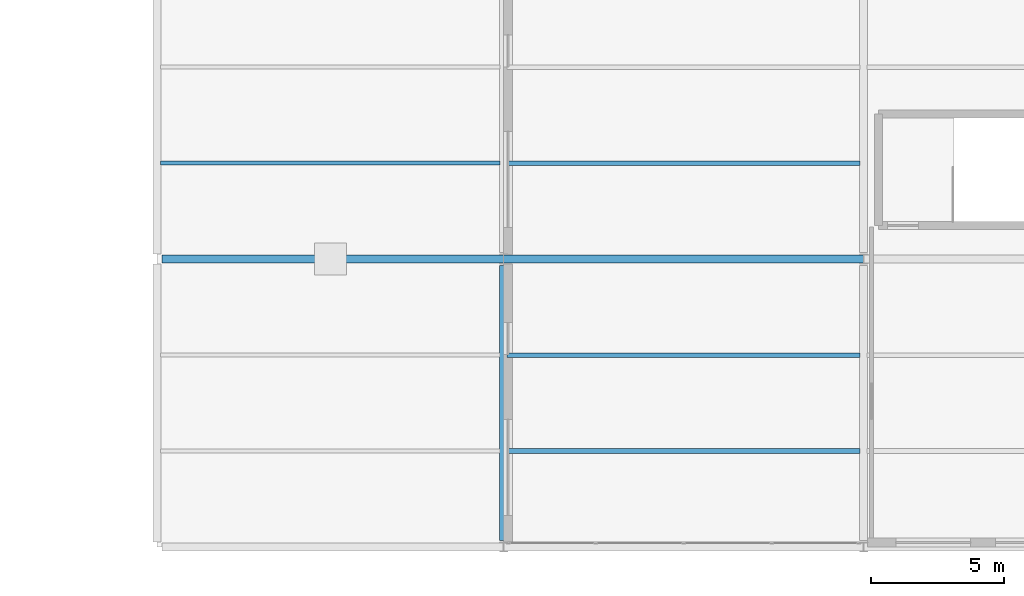
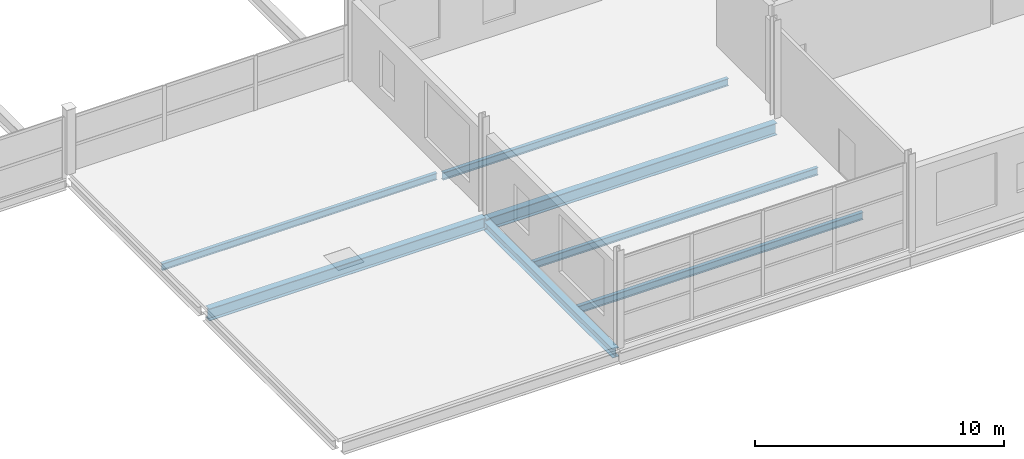
# One storey, part 81 of 134: 7 beams.
"""IFC4 building model written with IfcOpenShell, lengths in metres."""

from ifc_helpers import new_model, si_unit, direction, frame, origin, origin_2d, place, context, subcontext, project, spatial, i_section, extrude, material, material_profile, profile_set, type_object, element, save


model = new_model("IFC4")

# Units and contexts
model_context = context("Model", 3, precision=1e-05, world=origin(), true_north=direction((0.0, 1.0)))
body_context = subcontext(model_context, "Body", "Model", "MODEL_VIEW")
ifc_project = project(units=[si_unit("LENGTHUNIT", "METRE"), si_unit("AREAUNIT", "SQUARE_METRE"), si_unit("VOLUMEUNIT", "CUBIC_METRE"), si_unit("PLANEANGLEUNIT", "RADIAN"), si_unit("MASSUNIT", "GRAM", prefix="KILO")], contexts=[model_context])

# Site, building, storey
site_placement = place(None, origin())
site = spatial("IfcSite", under=ifc_project, at=site_placement, CompositionType="ELEMENT")
building_placement = place(site_placement, origin())
building = spatial("IfcBuilding", under=site, at=building_placement, Name="Tamarisk Ironworks Central Station", CompositionType="ELEMENT")
storey_placement = place(building_placement, frame((0.0, 0.0, 12.60009765625)))
storey = spatial("IfcBuildingStorey", under=building, at=storey_placement, Name="L02", CompositionType="ELEMENT", Elevation=12.60009765625)

# Beams
ifc_material = material(Name="Structural steel S355J2", Category="steel")
ifc_material_profile_1 = material_profile(ifc_material, i_section(OverallWidth=0.169921875, OverallDepth=0.360107421875, WebThickness=0.008056640625, FlangeThickness=0.0126953125, at=origin_2d()), Name="IPE 360")
ifc_profile_set_1 = profile_set([ifc_material_profile_1], Name="Structural steel S355J2")
beam_type_1 = type_object("IfcBeamType", Name="BM-B05", PredefinedType="BEAM", material=ifc_profile_set_1)
for number, where, z_axis, x_axis, name in (
    (1, (153.135009765625, 3.60009765625, -0.43017578125), (1.0, 0.0, 0.0), (0.0, 1.0, 0.0), "L02 secondary composite beam 0190"),
    (2, (153.135009765625, 7.199951171875, -0.43017578125), (1.0, 0.0, 0.0), (0.0, 1.0, 0.0), "L02 secondary composite beam 0191"),
    (3, (153.135009765625, 14.39990234375, -0.43017578125), (1.0, 0.0, 0.0), (0.0, 1.0, 0.0), "L02 secondary composite beam 0192"),
):
    element("IfcBeam", number, at=place(storey_placement, frame(where, z_axis=z_axis, x_axis=x_axis)), inside=storey, type_object=beam_type_1, Name=name, PredefinedType="BEAM", context=body_context, shape_type="SweptSolid", body=[
        extrude(i_section(OverallWidth=0.169921875, OverallDepth=0.360107421875, WebThickness=0.008056640625, FlangeThickness=0.0126953125, at=origin_2d()), origin(), (0.0, 0.0, 1.0), 13.22998046875),
    ])
ifc_material_profile_2 = material_profile(ifc_material, i_section(OverallWidth=0.159912109375, OverallDepth=0.330078125, WebThickness=0.007568359375, FlangeThickness=0.011474609375, at=origin_2d()), Name="IPE 330")
ifc_profile_set_2 = profile_set([ifc_material_profile_2], Name="Structural steel S355J2")
beam_type_2 = type_object("IfcBeamType", Name="BM-B06", PredefinedType="BEAM", material=ifc_profile_set_2)
beam_1_placement = place(storey_placement, frame((140.135009765625, 14.39990234375, -0.3251953125), z_axis=(1.0, 0.0, 0.0), x_axis=(0.0, 1.0, 0.0)))
element("IfcBeam", 4, at=beam_1_placement, inside=storey, type_object=beam_type_2, Name="L02 secondary composite beam 0188", PredefinedType="BEAM", context=body_context, shape_type="SweptSolid", body=[
    extrude(i_section(OverallWidth=0.159912109375, OverallDepth=0.330078125, WebThickness=0.007568359375, FlangeThickness=0.011474609375, at=origin_2d()), origin(), (0.0, 0.0, 1.0), 12.72998046875),
])
ifc_material_profile_3 = material_profile(ifc_material, i_section(OverallWidth=0.300048828125, OverallDepth=0.590087890625, WebThickness=0.012939453125, FlangeThickness=0.02490234375, at=origin_2d()), Name="HEA 600")
ifc_profile_set_3 = profile_set([ifc_material_profile_3], Name="Structural steel S355J2")
beam_type_3 = type_object("IfcBeamType", Name="BM-G03", PredefinedType="BEAM", material=ifc_profile_set_3)
beam_2_placement = place(storey_placement, frame((140.18798828125, 10.800048828125, -0.455078125), z_axis=(1.0, 0.0, 0.0), x_axis=(0.0, 1.0, 0.0)))
element("IfcBeam", 5, at=beam_2_placement, inside=storey, type_object=beam_type_3, Name="L02 primary girder X-0303", PredefinedType="BEAM", context=body_context, shape_type="SweptSolid", body=[
    extrude(i_section(OverallWidth=0.300048828125, OverallDepth=0.590087890625, WebThickness=0.012939453125, FlangeThickness=0.02490234375, at=origin_2d()), origin(), (0.0, 0.0, 1.0), 12.80810546875),
])
beam_3_placement = place(storey_placement, frame((153.00390625, 10.800048828125, -0.545166015625), z_axis=(1.0, 0.0, 0.0), x_axis=(0.0, 1.0, 0.0)))
element("IfcBeam", 6, at=beam_3_placement, inside=storey, type_object=beam_type_3, Name="L02 primary girder X-0304", PredefinedType="BEAM", context=body_context, shape_type="SweptSolid", body=[
    extrude(i_section(OverallWidth=0.300048828125, OverallDepth=0.590087890625, WebThickness=0.012939453125, FlangeThickness=0.02490234375, at=origin_2d()), origin(), (0.0, 0.0, 1.0), 13.4921875),
])
ifc_material_profile_4 = material_profile(ifc_material, i_section(OverallWidth=0.300048828125, OverallDepth=0.43994140625, WebThickness=0.011474609375, FlangeThickness=0.02099609375, at=origin_2d()), Name="HEA 450")
ifc_profile_set_4 = profile_set([ifc_material_profile_4], Name="Structural steel S355J2")
beam_type_4 = type_object("IfcBeamType", Name="BM-G06", PredefinedType="BEAM", material=ifc_profile_set_4)
beam_4_placement = place(storey_placement, frame((153.0, 0.238037109375, -0.47021484375), z_axis=(0.0, 1.0, 0.0), x_axis=(-1.0, 0.0, 0.0)))
element("IfcBeam", 7, at=beam_4_placement, inside=storey, type_object=beam_type_4, Name="L02 primary girder Y-0512", PredefinedType="BEAM", context=body_context, shape_type="SweptSolid", body=[
    extrude(i_section(OverallWidth=0.300048828125, OverallDepth=0.43994140625, WebThickness=0.011474609375, FlangeThickness=0.02099609375, at=origin_2d()), origin(), (0.0, 0.0, 1.0), 10.323974609375),
])

save(model, "model.ifc")
